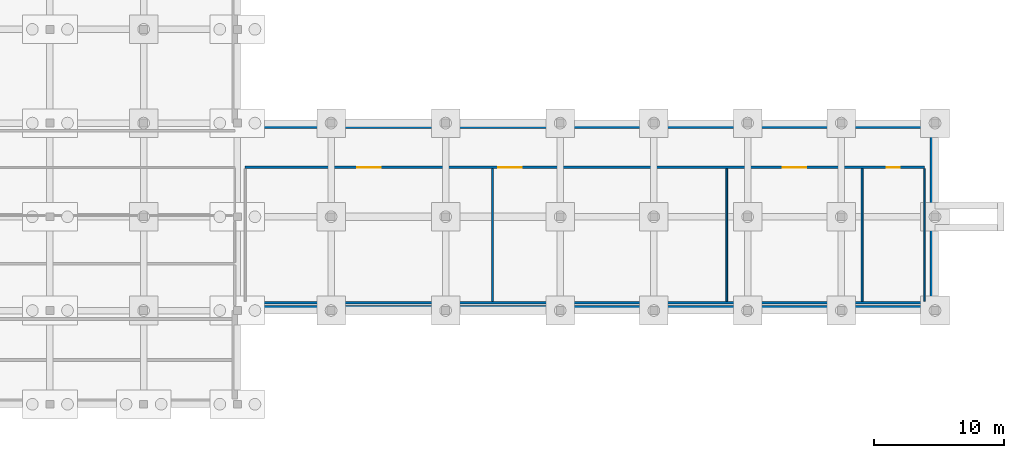
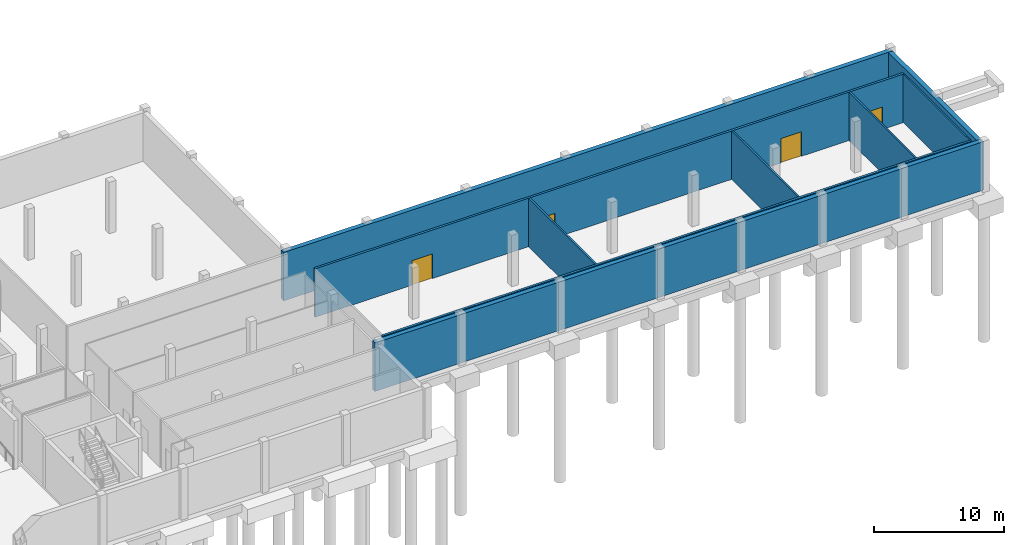
# One storey, part 24 of 35: 9 walls, 4 doors, 4 openings.
"""IFC4 building model written with IfcOpenShell, lengths in metres."""

from ifc_helpers import new_model, si_unit, direction, frame, frame_2d, origin, place, context, subcontext, project, spatial, rectangle, extrude, material, layer, layer_set, type_object, element, fill, save


model = new_model("IFC4")

# Units and contexts
model_context = context("Model", 3, precision=1e-05, world=origin(), true_north=direction((0.0, 1.0)))
body_context = subcontext(model_context, "Body", "Model", "MODEL_VIEW")
ifc_project = project(units=[si_unit("LENGTHUNIT", "METRE"), si_unit("AREAUNIT", "SQUARE_METRE"), si_unit("VOLUMEUNIT", "CUBIC_METRE"), si_unit("PLANEANGLEUNIT", "RADIAN"), si_unit("MASSUNIT", "GRAM", prefix="KILO")], contexts=[model_context])

# Site, building, storey
site_placement = place(None, origin())
site = spatial("IfcSite", under=ifc_project, at=site_placement, CompositionType="ELEMENT")
building_placement = place(site_placement, origin())
building = spatial("IfcBuilding", under=site, at=building_placement, Name="Zarrinpeak Specialist Clinic", CompositionType="ELEMENT")
storey_placement = place(building_placement, frame((0.0, 0.0, -4.800048828125)))
storey = spatial("IfcBuildingStorey", under=building, at=storey_placement, Name="B01", CompositionType="ELEMENT", Elevation=-4.800048828125)

# Walls
ifc_material_1 = material(Name="Moisture-Resistant Wet-Room Partition", Category="gypsum")
ifc_layer_1 = layer(ifc_material_1, 0.125)
ifc_layer_set_1 = layer_set([ifc_layer_1], Name="Moisture-Resistant Wet-Room Partition")
wall_type_1 = type_object("IfcWallType", Name="WL-IW125W", PredefinedType="PARTITIONING", material=ifc_layer_set_1)
wall_1_placement = place(storey_placement, frame((175.199951171875, 36.699951171875, 0.0), z_axis=(0.0, 0.0, 1.0), x_axis=(0.0, 1.0, 0.0)))
element("IfcWall", 1, at=wall_1_placement, inside=storey, type_object=wall_type_1, Name="B01 Accessible Plant Staff WC Dividing Partition", PredefinedType="PARTITIONING", context=body_context, shape_type="SweptSolid", body=[
    extrude(rectangle(XDim=10.199951171875, YDim=0.125, at=frame_2d((5.10009765625, 0.0))), origin(), (0.0, 0.0, 1.0), 4.545166015625),
])
ifc_material_2 = material(Name="Acoustic Consultation Stud Partition", Category="gypsum")
ifc_layer_2 = layer(ifc_material_2, 0.14208984375)
ifc_layer_set_2 = layer_set([ifc_layer_2], Name="Acoustic Consultation Stud Partition")
wall_type_2 = type_object("IfcWallType", Name="WL-IW142", PredefinedType="PARTITIONING", material=ifc_layer_set_2)
wall_2_placement = place(storey_placement, frame((170.39990234375, 36.699951171875, 0.0), z_axis=(0.0, 0.0, 1.0), x_axis=(0.0, 1.0, 0.0)))
element("IfcWall", 2, at=wall_2_placement, inside=storey, type_object=wall_type_2, Name="B01 Sterile Supply Bulk Archive Store Dividing Partition", PredefinedType="PARTITIONING", context=body_context, shape_type="SweptSolid", body=[
    extrude(rectangle(XDim=10.199951171875, YDim=0.14208984375, at=frame_2d((5.10009765625, 0.0))), origin(), (0.0, 0.0, 1.0), 4.545166015625),
])
ifc_material_3 = material(Name="Insulated Clinical Gypsum Stud Partition", Category="gypsum")
ifc_layer_3 = layer(ifc_material_3, 0.14990234375)
ifc_layer_set_3 = layer_set([ifc_layer_3], Name="Insulated Clinical Gypsum Stud Partition")
wall_type_3 = type_object("IfcWallType", Name="WL-IW150", PredefinedType="PARTITIONING", material=ifc_layer_set_3)
wall_3_placement = place(storey_placement, frame((160.0, 36.699951171875, 0.0), z_axis=(0.0, 0.0, 1.0), x_axis=(0.0, 1.0, 0.0)))
element("IfcWall", 3, at=wall_3_placement, inside=storey, type_object=wall_type_3, Name="B01 Emergency Standby Generator and Switchgear Plant Dividing Partition", PredefinedType="PARTITIONING", context=body_context, shape_type="SweptSolid", body=[
    extrude(rectangle(XDim=10.199951171875, YDim=0.14990234375, at=frame_2d((5.10009765625, 0.0))), origin(), (0.0, 0.0, 1.0), 4.545166015625),
])
ifc_material_4 = material(Name="Acoustic Double Gypsum Stud Partition", Category="gypsum")
ifc_layer_4 = layer(ifc_material_4, 0.159912109375)
ifc_layer_set_4 = layer_set([ifc_layer_4], Name="Acoustic Double Gypsum Stud Partition")
wall_type_4 = type_object("IfcWallType", Name="WL-IW160", PredefinedType="PARTITIONING", material=ifc_layer_set_4)
wall_4_placement = place(storey_placement, frame((142.0, 36.699951171875, 0.0), z_axis=(0.0, 0.0, 1.0), x_axis=(0.0, 1.0, 0.0)))
element("IfcWall", 4, at=wall_4_placement, inside=storey, type_object=wall_type_4, Name="B01 Central Chiller and Heat Recovery Plant Dividing Partition", PredefinedType="PARTITIONING", context=body_context, shape_type="SweptSolid", body=[
    extrude(rectangle(XDim=10.199951171875, YDim=0.159912109375, at=frame_2d((5.10009765625, 0.0))), origin(), (0.0, 0.0, 1.0), 4.545166015625),
])
ifc_material_5 = material(Name="Autoclaved Aerated Concrete Blockwork", Category="masonry")
ifc_layer_5 = layer(ifc_material_5, 0.199951171875)
ifc_layer_set_5 = layer_set([ifc_layer_5], Name="Autoclaved Aerated Concrete Blockwork")
wall_type_5 = type_object("IfcWallType", Name="WL-IW200", PredefinedType="PARTITIONING", material=ifc_layer_set_5)
wall_5_placement = place(storey_placement, frame((123.0, 36.60009765625, 0.0), z_axis=(0.0, 0.0, 1.0), x_axis=(1.0, 0.0, 0.0)))
element("IfcWall", 5, at=wall_5_placement, inside=storey, type_object=wall_type_5, Name="B01 Central Chiller and Heat Recovery Plant Partition", PredefinedType="PARTITIONING", context=body_context, shape_type="SweptSolid", body=[
    extrude(rectangle(XDim=52.199951171875, YDim=0.199951171875, at=frame_2d((26.10009765625, 0.0))), origin(), (0.0, 0.0, 1.0), 4.545166015625),
])

# Wall, openings, doors
wall_6_placement = place(storey_placement, frame((123.0, 47.0, 0.0), z_axis=(0.0, 0.0, 1.0), x_axis=(1.0, 0.0, 0.0)))
wall_6 = element("IfcWall", 6, at=wall_6_placement, inside=storey, type_object=wall_type_5, Name="B01 Central Chiller and Heat Recovery Plant Partition", PredefinedType="PARTITIONING", context=body_context, shape_type="SweptSolid", body=[
    extrude(rectangle(XDim=52.199951171875, YDim=0.199951171875, at=frame_2d((26.10009765625, 0.0))), origin(), (0.0, 0.0, 1.0), 4.545166015625),
])
opening_1_placement = place(wall_6_placement, frame((8.60009765625, 0.0, 0.0)))
opening_1 = element("IfcOpeningElement", 7, at=opening_1_placement, cuts=wall_6, Name="Opening D-P01", PredefinedType="OPENING", context=body_context, shape_type="SweptSolid", body=[
    extrude(rectangle(XDim=1.800048828125, YDim=2.300048828125, at=frame_2d((0.89990234375, 1.14990234375))), frame((0.0, 0.10986328125, 0.0), z_axis=(0.0, -1.0, 0.0), x_axis=(1.0, 0.0, 0.0)), (0.0, 0.0, 1.0), 0.219970703125),
])
opening_2_placement = place(wall_6_placement, frame((19.449951171875, 0.0, 0.0)))
opening_2 = element("IfcOpeningElement", 8, at=opening_2_placement, cuts=wall_6, Name="Opening D-P01", PredefinedType="OPENING", context=body_context, shape_type="SweptSolid", body=[
    extrude(rectangle(XDim=1.800048828125, YDim=2.300048828125, at=frame_2d((0.89990234375, 1.14990234375))), frame((0.0, 0.10986328125, 0.0), z_axis=(0.0, -1.0, 0.0), x_axis=(1.0, 0.0, 0.0)), (0.0, 0.0, 1.0), 0.219970703125),
])
opening_3_placement = place(wall_6_placement, frame((41.300048828125, 0.0, 0.0)))
opening_3 = element("IfcOpeningElement", 9, at=opening_3_placement, cuts=wall_6, Name="Opening D-P01", PredefinedType="OPENING", context=body_context, shape_type="SweptSolid", body=[
    extrude(rectangle(XDim=1.800048828125, YDim=2.300048828125, at=frame_2d((0.89990234375, 1.14990234375))), frame((0.0, 0.10986328125, 0.0), z_axis=(0.0, -1.0, 0.0), x_axis=(1.0, 0.0, 0.0)), (0.0, 0.0, 1.0), 0.219970703125),
])
opening_4_placement = place(wall_6_placement, frame((49.300048828125, 0.0, 0.0)))
opening_4 = element("IfcOpeningElement", 10, at=opening_4_placement, cuts=wall_6, Name="Opening D-W02", PredefinedType="OPENING", context=body_context, shape_type="SweptSolid", body=[
    extrude(rectangle(XDim=1.0, YDim=2.10009765625, at=frame_2d((0.5, 1.050048828125))), frame((0.0, 0.10986328125, 0.0), z_axis=(0.0, -1.0, 0.0), x_axis=(1.0, 0.0, 0.0)), (0.0, 0.0, 1.0), 0.219970703125),
])
ifc_material_6 = material(Name="Powder-Coated Galvanised Steel", Category="steel")
door_type_1 = type_object("IfcDoorType", Name="DR-AWC100", OperationType="SLIDING_TO_LEFT", PredefinedType="DOOR", material=ifc_material_6)
door_1_placement = place(opening_4_placement, origin())
door_1 = element("IfcDoor", 11, at=door_1_placement, inside=storey, type_object=door_type_1, Name="B01 Accessible Plant Staff WC Door", OperationType="SLIDING_TO_LEFT", OverallHeight=2.10009765625, OverallWidth=1.0, PredefinedType="DOOR", context=body_context, shape_type="SweptSolid", body=[
    extrude(rectangle(XDim=1.0, YDim=2.10009765625, at=frame_2d((0.5, 1.050048828125))), frame((0.0, 0.02490234375, 0.0), z_axis=(0.0, -1.0, 0.0), x_axis=(1.0, 0.0, 0.0)), (0.0, 0.0, 1.0), 0.050048828125),
])
fill(opening_4, door_1)
door_type_2 = type_object("IfcDoorType", Name="DR-PLT180", OperationType="DOUBLE_DOOR_SINGLE_SWING", PredefinedType="DOOR", material=ifc_material_6)
door_2_placement = place(opening_1_placement, origin())
door_2 = element("IfcDoor", 12, at=door_2_placement, inside=storey, type_object=door_type_2, Name="B01 Central Chiller and Heat Recovery Plant Door", OperationType="DOUBLE_DOOR_SINGLE_SWING", OverallHeight=2.300048828125, OverallWidth=1.800048828125, PredefinedType="DOOR", context=body_context, shape_type="SweptSolid", body=[
    extrude(rectangle(XDim=1.800048828125, YDim=2.300048828125, at=frame_2d((0.89990234375, 1.14990234375))), frame((0.0, 0.02490234375, 0.0), z_axis=(0.0, -1.0, 0.0), x_axis=(1.0, 0.0, 0.0)), (0.0, 0.0, 1.0), 0.050048828125),
])
fill(opening_1, door_2)
door_3_placement = place(opening_2_placement, origin())
door_3 = element("IfcDoor", 13, at=door_3_placement, inside=storey, type_object=door_type_2, Name="B01 Emergency Standby Generator and Switchgear Plant Door", OperationType="DOUBLE_DOOR_SINGLE_SWING", OverallHeight=2.300048828125, OverallWidth=1.800048828125, PredefinedType="DOOR", context=body_context, shape_type="SweptSolid", body=[
    extrude(rectangle(XDim=1.800048828125, YDim=2.300048828125, at=frame_2d((0.89990234375, 1.14990234375))), frame((0.0, 0.02490234375, 0.0), z_axis=(0.0, -1.0, 0.0), x_axis=(1.0, 0.0, 0.0)), (0.0, 0.0, 1.0), 0.050048828125),
])
fill(opening_2, door_3)
door_4_placement = place(opening_3_placement, origin())
door_4 = element("IfcDoor", 14, at=door_4_placement, inside=storey, type_object=door_type_2, Name="B01 Sterile Supply Bulk Archive Store Door", OperationType="DOUBLE_DOOR_SINGLE_SWING", OverallHeight=2.300048828125, OverallWidth=1.800048828125, PredefinedType="DOOR", context=body_context, shape_type="SweptSolid", body=[
    extrude(rectangle(XDim=1.800048828125, YDim=2.300048828125, at=frame_2d((0.89990234375, 1.14990234375))), frame((0.0, 0.02490234375, 0.0), z_axis=(0.0, -1.0, 0.0), x_axis=(1.0, 0.0, 0.0)), (0.0, 0.0, 1.0), 0.050048828125),
])
fill(opening_3, door_4)

# Walls
ifc_material_7 = material(Name="Concrete C40/50", Category="concrete")
ifc_layer_6 = layer(ifc_material_7, 0.39990234375)
ifc_layer_set_6 = layer_set([ifc_layer_6], Name="Concrete C40/50")
wall_type_6 = type_object("IfcWallType", Name="WL-RET400", PredefinedType="USERDEFINED", material=ifc_layer_set_6)
wall_7_placement = place(storey_placement, frame((122.0, 36.199951171875, 0.0), z_axis=(0.0, 0.0, 1.0), x_axis=(1.0, 0.0, 0.0)))
element("IfcWall", 15, at=wall_7_placement, inside=storey, type_object=wall_type_6, Name="B01 Substructure Retaining Wall RW-B01-005", ObjectType="RETAININGWALL", PredefinedType="USERDEFINED", context=body_context, shape_type="SweptSolid", body=[
    extrude(rectangle(XDim=54.0, YDim=0.39990234375, at=frame_2d((27.0, 0.0))), origin(), (0.0, 0.0, 1.0), 4.545166015625),
])
wall_8_placement = place(storey_placement, frame((175.800048828125, 36.39990234375, 0.0), z_axis=(0.0, 0.0, 1.0), x_axis=(0.0, 1.0, 0.0)))
element("IfcWall", 16, at=wall_8_placement, inside=storey, type_object=wall_type_6, Name="B01 Substructure Retaining Wall RW-B01-006", ObjectType="RETAININGWALL", PredefinedType="USERDEFINED", context=body_context, shape_type="SweptSolid", body=[
    extrude(rectangle(XDim=13.60009765625, YDim=0.39990234375, at=frame_2d((6.800048828125, 0.0))), origin(), (0.0, 0.0, 1.0), 4.545166015625),
])
wall_9_placement = place(storey_placement, frame((176.0, 50.199951171875, 0.0), z_axis=(0.0, 0.0, 1.0), x_axis=(-1.0, 0.0, 0.0)))
element("IfcWall", 17, at=wall_9_placement, inside=storey, type_object=wall_type_6, Name="B01 Substructure Retaining Wall RW-B01-007", ObjectType="RETAININGWALL", PredefinedType="USERDEFINED", context=body_context, shape_type="SweptSolid", body=[
    extrude(rectangle(XDim=54.0, YDim=0.39990234375, at=frame_2d((27.0, 0.0))), origin(), (0.0, 0.0, 1.0), 4.545166015625),
])

save(model, "model.ifc")
